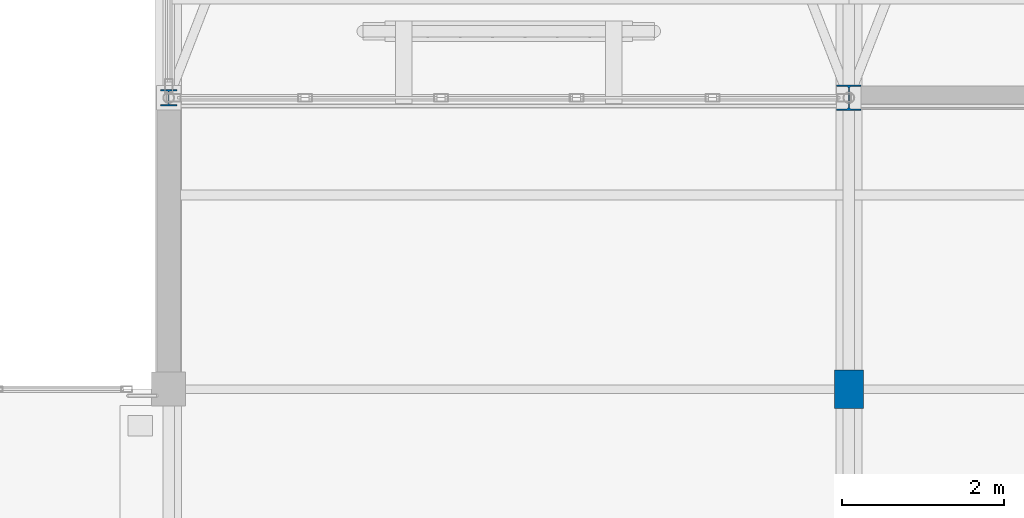
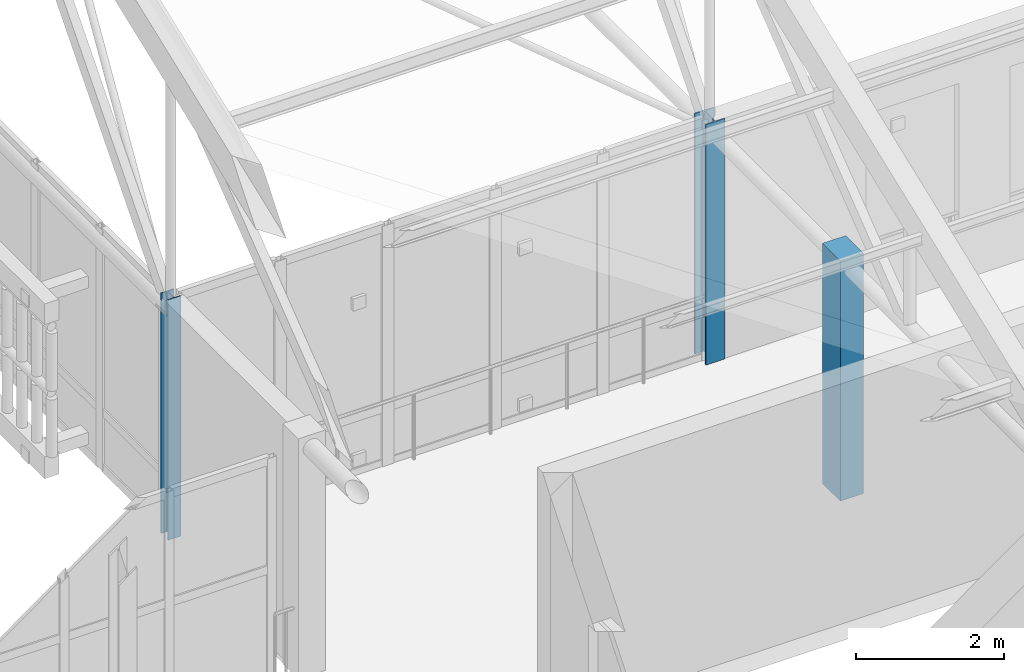
# One storey, part 9 of 217: 3 columns.
"""IFC4 building model written with IfcOpenShell, lengths in metres."""

from ifc_helpers import new_model, si_unit, direction, frame, origin, origin_2d, place, context, subcontext, project, spatial, rectangle, i_section, extrude, material, material_profile, profile_set, type_object, element, save


model = new_model("IFC4")

# Units and contexts
model_context = context("Model", 3, precision=1e-05, world=origin(), true_north=direction((0.0, 1.0)))
body_context = subcontext(model_context, "Body", "Model", "MODEL_VIEW")
ifc_project = project(units=[si_unit("LENGTHUNIT", "METRE"), si_unit("AREAUNIT", "SQUARE_METRE"), si_unit("VOLUMEUNIT", "CUBIC_METRE"), si_unit("PLANEANGLEUNIT", "RADIAN"), si_unit("MASSUNIT", "GRAM", prefix="KILO")], contexts=[model_context])

# Site, building, storey
site_placement = place(None, origin())
site = spatial("IfcSite", under=ifc_project, at=site_placement, CompositionType="ELEMENT")
building_placement = place(site_placement, origin())
building = spatial("IfcBuilding", under=site, at=building_placement, Name="Mazaris Harbour Polytechnic", CompositionType="ELEMENT")
storey_placement = place(building_placement, frame((0.0, 0.0, 9.60009765625)))
storey = spatial("IfcBuildingStorey", under=building, at=storey_placement, Name="L02", CompositionType="ELEMENT", Elevation=9.60009765625)

# Columns
ifc_material_1 = material(Name="Glulam GL28h", Category="wood")
ifc_material_profile_1 = material_profile(ifc_material_1, rectangle(XDim=0.360107421875, YDim=0.47998046875, at=origin_2d()), Name="RECT360x480")
ifc_profile_set_1 = profile_set([ifc_material_profile_1], Name="Glulam GL28h")
column_type_1 = type_object("IfcColumnType", Name="Glulam Column 360x480", PredefinedType="COLUMN", material=ifc_profile_set_1)
column_1_placement = place(storey_placement, frame((62.39990234375, 82.800048828125, 0.0), z_axis=(0.0, 0.0, 1.0), x_axis=(1.0, 0.0, 0.0)))
element("IfcColumn", 1, at=column_1_placement, inside=storey, type_object=column_type_1, Name="V1 L02 Column 157", PredefinedType="COLUMN", context=body_context, shape_type="SweptSolid", body=[
    extrude(rectangle(XDim=0.360107421875, YDim=0.47998046875, at=origin_2d()), origin(), (0.0, 0.0, 1.0), 3.9599609375),
])
ifc_material_2 = material(Name="Steel S355", Category="steel")
ifc_material_profile_2 = material_profile(ifc_material_2, i_section(OverallWidth=0.199951171875, OverallDepth=0.199951171875, WebThickness=0.009033203125, FlangeThickness=0.014892578125, FilletRadius=0.01806640625, at=origin_2d()), Name="HEB 200")
ifc_profile_set_2 = profile_set([ifc_material_profile_2], Name="Steel S355")
column_type_2 = type_object("IfcColumnType", Name="Steel Column HEB200 Exterior", PredefinedType="COLUMN", material=ifc_profile_set_2)
column_2_placement = place(storey_placement, frame((54.0, 86.39990234375, 0.0), z_axis=(0.0, 0.0, 1.0), x_axis=(1.0, 0.0, 0.0)))
element("IfcColumn", 2, at=column_2_placement, inside=storey, type_object=column_type_2, Name="V1 L02 Column 155", PredefinedType="COLUMN", context=body_context, shape_type="SweptSolid", body=[
    extrude(i_section(OverallWidth=0.199951171875, OverallDepth=0.199951171875, WebThickness=0.009033203125, FlangeThickness=0.014892578125, FilletRadius=0.01806640625, at=origin_2d()), origin(), (0.0, 0.0, 1.0), 3.9599609375),
])
ifc_material_3 = material(Name="Steel S355", Category="steel")
ifc_material_profile_3 = material_profile(ifc_material_3, i_section(OverallWidth=0.300048828125, OverallDepth=0.320068359375, WebThickness=0.011474609375, FlangeThickness=0.0205078125, FilletRadius=0.027099609375, at=origin_2d()), Name="HEB 320")
ifc_profile_set_3 = profile_set([ifc_material_profile_3], Name="Steel S355")
column_type_3 = type_object("IfcColumnType", Name="Steel Column HEB320", PredefinedType="COLUMN", material=ifc_profile_set_3)
column_3_placement = place(storey_placement, frame((62.39990234375, 86.39990234375, 0.0), z_axis=(0.0, 0.0, 1.0), x_axis=(1.0, 0.0, 0.0)))
element("IfcColumn", 3, at=column_3_placement, inside=storey, type_object=column_type_3, Name="V1 L02 Column 158", PredefinedType="COLUMN", context=body_context, shape_type="SweptSolid", body=[
    extrude(i_section(OverallWidth=0.300048828125, OverallDepth=0.320068359375, WebThickness=0.011474609375, FlangeThickness=0.0205078125, FilletRadius=0.027099609375, at=origin_2d()), origin(), (0.0, 0.0, 1.0), 3.9599609375),
])

save(model, "model.ifc")
